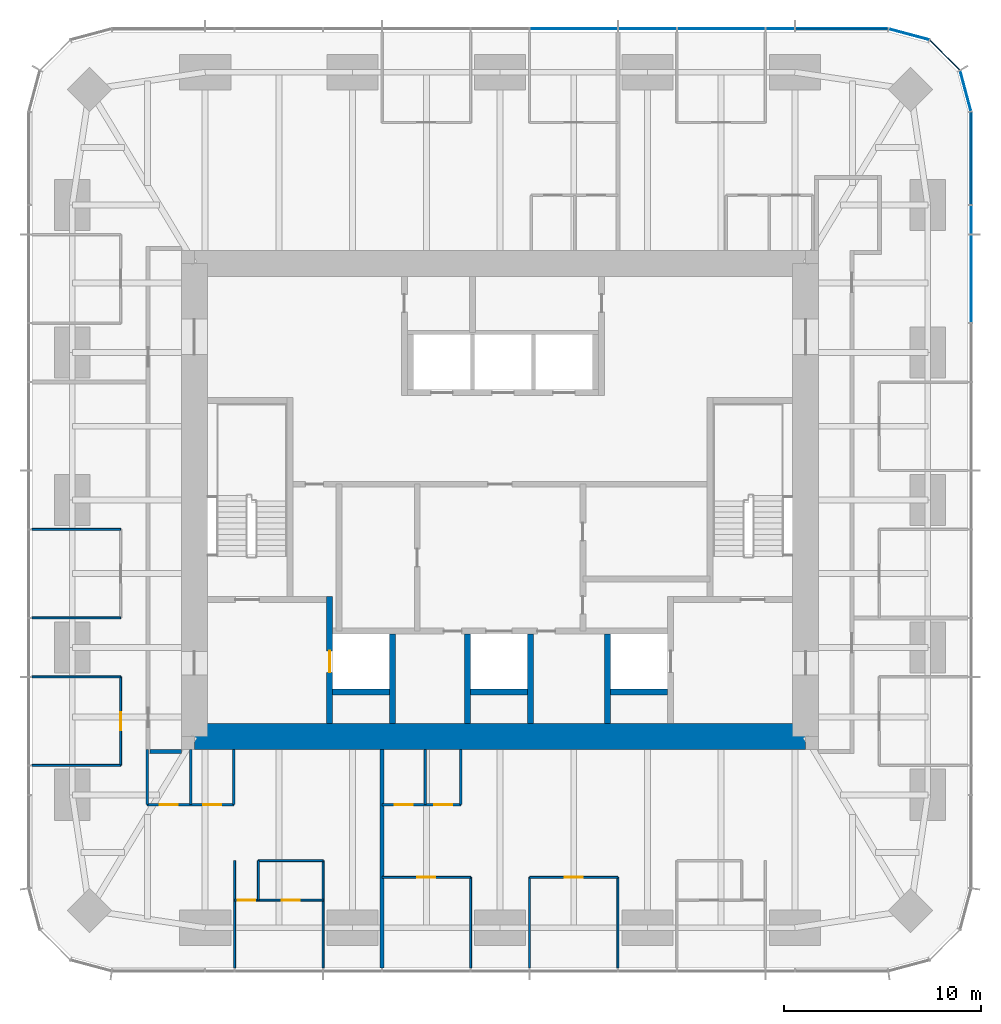
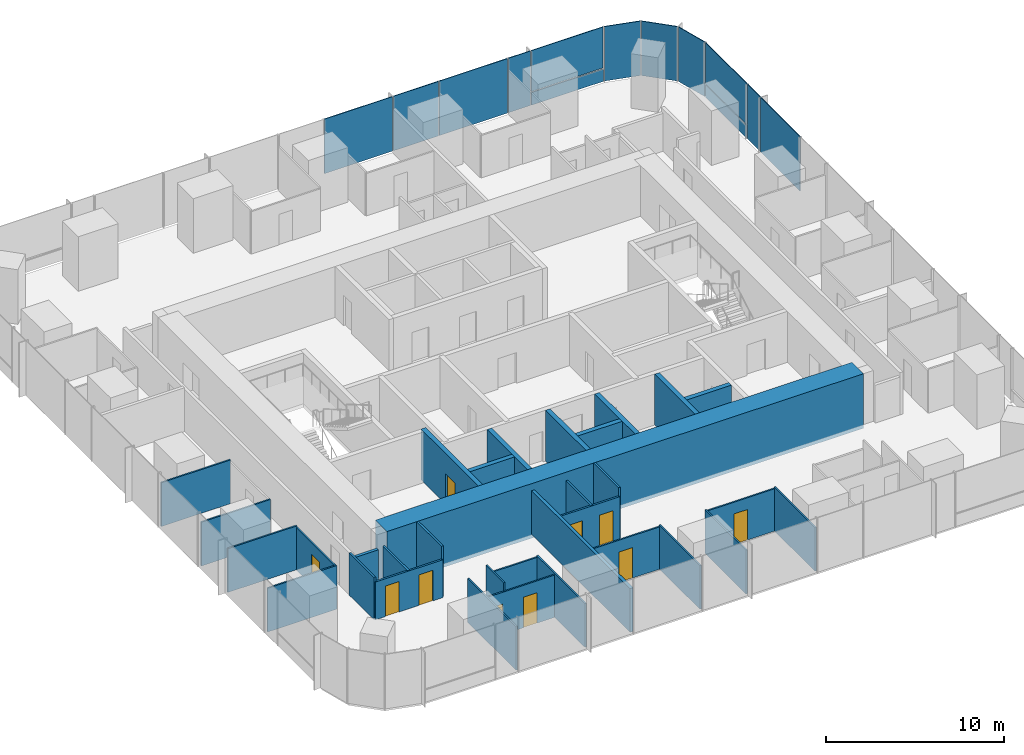
# One storey, part 8 of 12: 33 walls, 13 plates, 10 doors, 10 openings, 3 elements without a shape of their own.
"""IFC4 building model written with IfcOpenShell, lengths in metres."""

from ifc_helpers import new_model, si_unit, direction, frame, frame_2d, origin, origin_2d, place, context, subcontext, project, spatial, rectangle, extrude, material, layer, layer_set, type_object, element, fill, aggregate, save


model = new_model("IFC4")

# Units and contexts
model_context = context("Model", 3, precision=1e-05, world=origin(), true_north=direction((0.0, 1.0)))
body_context = subcontext(model_context, "Body", "Model", "MODEL_VIEW")
ifc_project = project(units=[si_unit("LENGTHUNIT", "METRE"), si_unit("AREAUNIT", "SQUARE_METRE"), si_unit("VOLUMEUNIT", "CUBIC_METRE"), si_unit("PLANEANGLEUNIT", "RADIAN"), si_unit("MASSUNIT", "GRAM", prefix="KILO")], contexts=[model_context])

# Site, building, storey
site_placement = place(None, origin())
site = spatial("IfcSite", under=ifc_project, at=site_placement, CompositionType="ELEMENT")
building_placement = place(site_placement, origin())
building = spatial("IfcBuilding", under=site, at=building_placement, Name="Khuree Lantern Residences", CompositionType="ELEMENT")
storey_placement = place(building_placement, frame((0.0, 0.0, 289.5)))
storey = spatial("IfcBuildingStorey", under=building, at=storey_placement, Name="L72", CompositionType="ELEMENT", Elevation=289.5)

# Curtain wall, plates
ifc_material_1 = material(Name="Bronze anodised aluminium", Category="aluminium")
curtain_wall_type_1 = type_object("IfcCurtainWallType", Name="CW-T2 TOWER CORNER CURTAIN WALL", PredefinedType="USERDEFINED", material=ifc_material_1)
curtain_wall_1_placement = place(storey_placement, origin())
curtain_wall_1 = element("IfcCurtainWall", 1, at=curtain_wall_1_placement, inside=storey, type_object=curtain_wall_type_1, Name="L72 NORTH-EAST CORNER CURTAIN WALL", ObjectType="Faceted corner curtain wall", PredefinedType="USERDEFINED")
ifc_material_2 = material(Name="Bronze tinted triple glazing", Category="glass")
ifc_layer_1 = layer(ifc_material_2, 0.048095703125)
ifc_layer_set_1 = layer_set([ifc_layer_1], Name="FACET PANEL P4")
plate_type_1 = type_object("IfcPlateType", Name="FACET PANEL P4", PredefinedType="CURTAIN_PANEL", material=ifc_layer_set_1)
plate_1_placement = place(storey_placement, frame((23.619140625, 20.748046875, 0.0), z_axis=(0.0, 0.0, 1.0), x_axis=(-0.2588189146, 0.965925861257, 0.0)))
plate_1 = element("IfcPlate", 2, at=plate_1_placement, type_object=plate_type_1, Name="L72 NORTH-EAST CORNER PANEL 15.1", PredefinedType="CURTAIN_PANEL", context=body_context, shape_type="SweptSolid", body=[
    extrude(rectangle(XDim=2.09814453125, YDim=0.048095703125, at=origin_2d()), origin(), (0.0, 0.0, 1.0), 3.75),
])
plate_2_placement = place(storey_placement, frame((22.568603515625, 22.568603515625, 0.0), z_axis=(0.0, 0.0, 1.0), x_axis=(-0.707106781187, 0.707106781187, 0.0)))
plate_2 = element("IfcPlate", 3, at=plate_2_placement, type_object=plate_type_1, Name="L72 NORTH-EAST CORNER PANEL 16.1", PredefinedType="CURTAIN_PANEL", context=body_context, shape_type="SweptSolid", body=[
    extrude(rectangle(XDim=2.093994140625, YDim=0.048095703125, at=origin_2d()), origin(), (0.0, 0.0, 1.0), 3.75),
])
plate_3_placement = place(storey_placement, frame((20.748046875, 23.619140625, 0.0), z_axis=(0.0, 0.0, 1.0), x_axis=(-0.965925861257, 0.2588189146, 0.0)))
plate_3 = element("IfcPlate", 4, at=plate_3_placement, type_object=plate_type_1, Name="L72 NORTH-EAST CORNER PANEL 17.1", PredefinedType="CURTAIN_PANEL", context=body_context, shape_type="SweptSolid", body=[
    extrude(rectangle(XDim=2.09814453125, YDim=0.048095703125, at=origin_2d()), origin(), (0.0, 0.0, 1.0), 3.75),
])
aggregate(curtain_wall_1, [plate_1, plate_2, plate_3])

# Curtain wall, plate
curtain_wall_type_2 = type_object("IfcCurtainWallType", Name="CW-T1 TOWER FACE CURTAIN WALL", PredefinedType="USERDEFINED", material=ifc_material_1)
curtain_wall_2_placement = place(storey_placement, origin())
curtain_wall_2 = element("IfcCurtainWall", 5, at=curtain_wall_2_placement, inside=storey, type_object=curtain_wall_type_2, Name="L72 EAST FACE CURTAIN WALL", ObjectType="Stick-built curtain wall", PredefinedType="USERDEFINED")
ifc_material_3 = material(Name="Bronze tinted triple glazing with a ceramic-fritted spandrel band", Category="glass")
ifc_layer_2 = layer(ifc_material_3, 0.048095703125)
ifc_layer_set_2 = layer_set([ifc_layer_2], Name="FIXED LIGHT PANEL P11")
plate_type_2 = type_object("IfcPlateType", Name="FIXED LIGHT PANEL P11", PredefinedType="CURTAIN_PANEL", material=ifc_layer_set_2)
plate_4_placement = place(storey_placement, frame((23.89990234375, 11.219970703125, 0.0), z_axis=(0.0, 0.0, 1.0), x_axis=(0.0, 1.0, 0.0)))
plate_4 = element("IfcPlate", 6, at=plate_4_placement, type_object=plate_type_2, Name="L72 EAST FACE PANEL 12.1", PredefinedType="CURTAIN_PANEL", context=body_context, shape_type="SweptSolid", body=[
    extrude(rectangle(XDim=4.423095703125, YDim=0.048095703125, at=origin_2d()), origin(), (0.0, 0.0, 1.0), 3.75),
])

# Curtain wall, plates
curtain_wall_3_placement = place(storey_placement, origin())
curtain_wall_3 = element("IfcCurtainWall", 7, at=curtain_wall_3_placement, inside=storey, type_object=curtain_wall_type_2, Name="L72 NORTH FACE CURTAIN WALL", ObjectType="Stick-built curtain wall", PredefinedType="USERDEFINED")
plate_5_placement = place(storey_placement, frame((11.219970703125, 23.89990234375, 0.0), z_axis=(0.0, 0.0, 1.0), x_axis=(-1.0, 0.0, 0.0)))
plate_5 = element("IfcPlate", 8, at=plate_5_placement, type_object=plate_type_2, Name="L72 NORTH FACE PANEL 20.1", PredefinedType="CURTAIN_PANEL", context=body_context, shape_type="SweptSolid", body=[
    extrude(rectangle(XDim=4.423095703125, YDim=0.048095703125, at=origin_2d()), origin(), (0.0, 0.0, 1.0), 3.75),
])
plate_6_placement = place(storey_placement, frame((3.739990234375, 23.89990234375, 0.0), z_axis=(0.0, 0.0, 1.0), x_axis=(-1.0, 0.0, 0.0)))
plate_6 = element("IfcPlate", 9, at=plate_6_placement, type_object=plate_type_2, Name="L72 NORTH FACE PANEL 22.1", PredefinedType="CURTAIN_PANEL", context=body_context, shape_type="SweptSolid", body=[
    extrude(rectangle(XDim=4.423095703125, YDim=0.048095703125, at=origin_2d()), origin(), (0.0, 0.0, 1.0), 3.75),
])
ifc_material_4 = material(Name="Bronze tinted triple glazing, two aluminium-framed sashes in one frame", Category="aluminium")
ifc_layer_3 = layer(ifc_material_4, 0.048095703125)
ifc_layer_set_3 = layer_set([ifc_layer_3], Name="SASH PAIR PANEL P12")
plate_type_3 = type_object("IfcPlateType", Name="SASH PAIR PANEL P12", PredefinedType="CURTAIN_PANEL", material=ifc_layer_set_3)
plate_7_placement = place(storey_placement, frame((7.47998046875, 23.89990234375, 0.0), z_axis=(0.0, 0.0, 1.0), x_axis=(-1.0, 0.0, 0.0)))
plate_7 = element("IfcPlate", 10, at=plate_7_placement, type_object=plate_type_3, Name="L72 NORTH FACE PANEL 21.1", PredefinedType="CURTAIN_PANEL", context=body_context, shape_type="SweptSolid", body=[
    extrude(rectangle(XDim=2.927001953125, YDim=0.048095703125, at=origin_2d()), origin(), (0.0, 0.0, 1.0), 3.75),
])

# Plate
ifc_material_5 = material(Name="Bronze tinted triple glazing, aluminium-framed sash", Category="aluminium")
ifc_layer_4 = layer(ifc_material_5, 0.048095703125)
ifc_layer_set_4 = layer_set([ifc_layer_4], Name="SASH PANEL P3")
plate_type_4 = type_object("IfcPlateType", Name="SASH PANEL P3", PredefinedType="CURTAIN_PANEL", material=ifc_layer_set_4)
plate_8_placement = place(storey_placement, frame((23.89990234375, 14.2119140625, 0.0), z_axis=(0.0, 0.0, 1.0), x_axis=(0.0, 1.0, 0.0)))
plate_8 = element("IfcPlate", 11, at=plate_8_placement, type_object=plate_type_4, Name="L72 EAST FACE PANEL 13.1", PredefinedType="CURTAIN_PANEL", context=body_context, shape_type="SweptSolid", body=[
    extrude(rectangle(XDim=1.430908203125, YDim=0.048095703125, at=origin_2d()), origin(), (0.0, 0.0, 1.0), 3.75),
])

plate_9_placement = place(storey_placement, frame((14.2119140625, 23.89990234375, 0.0), z_axis=(0.0, 0.0, 1.0), x_axis=(-1.0, 0.0, 0.0)))
plate_9 = element("IfcPlate", 12, at=plate_9_placement, type_object=plate_type_4, Name="L72 NORTH FACE PANEL 19.1", PredefinedType="CURTAIN_PANEL", context=body_context, shape_type="SweptSolid", body=[
    extrude(rectangle(XDim=1.430908203125, YDim=0.048095703125, at=origin_2d()), origin(), (0.0, 0.0, 1.0), 3.75),
])

ifc_material_6 = material(Name="Bronze anodised aluminium insulated spandrel", Category="aluminium")
ifc_layer_5 = layer(ifc_material_6, 0.06005859375)
ifc_layer_set_5 = layer_set([ifc_layer_5], Name="SPANDREL PANEL P2")
plate_type_5 = type_object("IfcPlateType", Name="SPANDREL PANEL P2", PredefinedType="CURTAIN_PANEL", material=ifc_layer_set_5)
plate_10_placement = place(storey_placement, frame((23.89990234375, 17.327880859375, 0.0), z_axis=(0.0, 0.0, 1.0), x_axis=(0.0, 1.0, 0.0)))
plate_10 = element("IfcPlate", 13, at=plate_10_placement, type_object=plate_type_5, Name="L72 EAST FACE PANEL 14.1", PredefinedType="CURTAIN_PANEL", context=body_context, shape_type="SweptSolid", body=[
    extrude(rectangle(XDim=4.670654296875, YDim=0.06005859375, at=origin_2d()), origin(), (0.0, 0.0, 1.0), 0.867431640625),
])

plate_11_placement = place(storey_placement, frame((17.327880859375, 23.89990234375, 0.0), z_axis=(0.0, 0.0, 1.0), x_axis=(-1.0, 0.0, 0.0)))
plate_11 = element("IfcPlate", 14, at=plate_11_placement, type_object=plate_type_5, Name="L72 NORTH FACE PANEL 18.1", PredefinedType="CURTAIN_PANEL", context=body_context, shape_type="SweptSolid", body=[
    extrude(rectangle(XDim=4.670654296875, YDim=0.06005859375, at=origin_2d()), origin(), (0.0, 0.0, 1.0), 0.867431640625),
])

ifc_layer_6 = layer(ifc_material_2, 0.048095703125)
ifc_layer_set_6 = layer_set([ifc_layer_6], Name="VISION PANEL P1")
plate_type_6 = type_object("IfcPlateType", Name="VISION PANEL P1", PredefinedType="CURTAIN_PANEL", material=ifc_layer_set_6)
plate_12_placement = place(storey_placement, frame((23.89990234375, 17.328369140625, 0.9326171875), z_axis=(0.0, 0.0, 1.0), x_axis=(0.0, 1.0, 0.0)))
plate_12 = element("IfcPlate", 15, at=plate_12_placement, type_object=plate_type_6, Name="L72 EAST FACE PANEL 14.2", PredefinedType="CURTAIN_PANEL", context=body_context, shape_type="SweptSolid", body=[
    extrude(rectangle(XDim=4.671630859375, YDim=0.048095703125, at=origin_2d()), origin(), (0.0, 0.0, 1.0), 2.8173828125),
])

aggregate(curtain_wall_2, [plate_4, plate_8, plate_10, plate_12])

plate_13_placement = place(storey_placement, frame((17.328369140625, 23.89990234375, 0.9326171875), z_axis=(0.0, 0.0, 1.0), x_axis=(-1.0, 0.0, 0.0)))
plate_13 = element("IfcPlate", 16, at=plate_13_placement, type_object=plate_type_6, Name="L72 NORTH FACE PANEL 18.2", PredefinedType="CURTAIN_PANEL", context=body_context, shape_type="SweptSolid", body=[
    extrude(rectangle(XDim=4.671630859375, YDim=0.048095703125, at=origin_2d()), origin(), (0.0, 0.0, 1.0), 2.8173828125),
])

aggregate(curtain_wall_3, [plate_11, plate_13, plate_9, plate_5, plate_7, plate_6])

# Wall, openings, doors
ifc_material_7 = material(Name="Moisture-resistant gypsum board on steel studs", Category="steel")
ifc_layer_7 = layer(ifc_material_7, 0.125)
ifc_layer_set_7 = layer_set([ifc_layer_7], Name="BATHROOM WALL BTW125")
wall_type_1 = type_object("IfcWallType", Name="BATHROOM WALL BTW125", PredefinedType="PARTITIONING", material=ifc_layer_set_7)
wall_1_placement = place(storey_placement, frame((-17.89990234375, -15.449951171875, 0.0), z_axis=(0.0, 0.0, 1.0), x_axis=(1.0, 0.0, 0.0)))
wall_1 = element("IfcWall", 17, at=wall_1_placement, inside=storey, type_object=wall_type_1, Name="L72 BATHROOM WALL 03", PredefinedType="PARTITIONING", context=body_context, shape_type="SweptSolid", body=[
    extrude(rectangle(XDim=4.39990234375, YDim=0.125, at=frame_2d((2.199951171875, 0.0))), origin(), (0.0, 0.0, 1.0), 2.60009765625),
])
opening_1_placement = place(wall_1_placement, frame((0.64990234375, 0.0, 0.0)))
opening_1 = element("IfcOpeningElement", 18, at=opening_1_placement, cuts=wall_1, Name="Opening 72-038", PredefinedType="OPENING", context=body_context, shape_type="SweptSolid", body=[
    extrude(rectangle(XDim=0.89990234375, YDim=2.10009765625, at=frame_2d((0.449951171875, 1.050048828125))), frame((0.0, 0.072509765625, 0.0), z_axis=(0.0, -1.0, 0.0), x_axis=(1.0, 0.0, 0.0)), (0.0, 0.0, 1.0), 0.14501953125),
])
opening_2_placement = place(wall_1_placement, frame((2.85009765625, 0.0, 0.0)))
opening_2 = element("IfcOpeningElement", 19, at=opening_2_placement, cuts=wall_1, Name="Opening 72-039", PredefinedType="OPENING", context=body_context, shape_type="SweptSolid", body=[
    extrude(rectangle(XDim=0.89990234375, YDim=2.10009765625, at=frame_2d((0.449951171875, 1.050048828125))), frame((0.0, 0.072509765625, 0.0), z_axis=(0.0, -1.0, 0.0), x_axis=(1.0, 0.0, 0.0)), (0.0, 0.0, 1.0), 0.14501953125),
])
ifc_material_8 = material(Name="Timber door leaf in hardwood frame", Category="wood")
door_type_1 = type_object("IfcDoorType", Name="BATHROOM DOOR 900X2100", OperationType="SINGLE_SWING_LEFT", PredefinedType="DOOR", material=ifc_material_8)
door_1_placement = place(opening_1_placement, origin())
door_1 = element("IfcDoor", 20, at=door_1_placement, inside=storey, type_object=door_type_1, Name="Bathroom door 72-038", OperationType="SINGLE_SWING_LEFT", OverallHeight=2.10009765625, OverallWidth=0.89990234375, PredefinedType="DOOR", context=body_context, shape_type="SweptSolid", body=[
    extrude(rectangle(XDim=0.89990234375, YDim=2.10009765625, at=frame_2d((0.449951171875, 1.050048828125))), frame((0.0, 0.02490234375, 0.0), z_axis=(0.0, -1.0, 0.0), x_axis=(1.0, 0.0, 0.0)), (0.0, 0.0, 1.0), 0.050048828125),
])
fill(opening_1, door_1)
door_2_placement = place(opening_2_placement, origin())
door_2 = element("IfcDoor", 21, at=door_2_placement, inside=storey, type_object=door_type_1, Name="Bathroom door 72-039", OperationType="SINGLE_SWING_LEFT", OverallHeight=2.10009765625, OverallWidth=0.89990234375, PredefinedType="DOOR", context=body_context, shape_type="SweptSolid", body=[
    extrude(rectangle(XDim=0.89990234375, YDim=2.10009765625, at=frame_2d((0.449951171875, 1.050048828125))), frame((0.0, 0.02490234375, 0.0), z_axis=(0.0, -1.0, 0.0), x_axis=(1.0, 0.0, 0.0)), (0.0, 0.0, 1.0), 0.050048828125),
])
fill(opening_2, door_2)

# Walls
wall_2_placement = place(storey_placement, frame((-17.89990234375, -12.64990234375, 0.0), z_axis=(0.0, 0.0, 1.0), x_axis=(0.0, -1.0, 0.0)))
element("IfcWall", 22, at=wall_2_placement, inside=storey, type_object=wall_type_1, Name="L72 BATHROOM WALL 03", PredefinedType="PARTITIONING", context=body_context, shape_type="SweptSolid", body=[
    extrude(rectangle(XDim=2.800048828125, YDim=0.125, at=frame_2d((1.39990234375, 0.0))), origin(), (0.0, 0.0, 1.0), 2.89990234375),
])
wall_3_placement = place(storey_placement, frame((-15.699951171875, -12.64990234375, 0.0), z_axis=(0.0, 0.0, 1.0), x_axis=(0.0, -1.0, 0.0)))
element("IfcWall", 23, at=wall_3_placement, inside=storey, type_object=wall_type_1, Name="L72 BATHROOM WALL 03", PredefinedType="PARTITIONING", context=body_context, shape_type="SweptSolid", body=[
    extrude(rectangle(XDim=2.800048828125, YDim=0.125, at=frame_2d((1.39990234375, 0.0))), origin(), (0.0, 0.0, 1.0), 2.60009765625),
])
wall_4_placement = place(storey_placement, frame((-13.5, -12.64990234375, 0.0), z_axis=(0.0, 0.0, 1.0), x_axis=(0.0, -1.0, 0.0)))
element("IfcWall", 24, at=wall_4_placement, inside=storey, type_object=wall_type_1, Name="L72 BATHROOM WALL 03", PredefinedType="PARTITIONING", context=body_context, shape_type="SweptSolid", body=[
    extrude(rectangle(XDim=2.800048828125, YDim=0.125, at=frame_2d((1.39990234375, 0.0))), origin(), (0.0, 0.0, 1.0), 3.5),
])

# Wall, openings, doors
wall_5_placement = place(storey_placement, frame((-5.98388671875, -15.449951171875, 0.0), z_axis=(0.0, 0.0, 1.0), x_axis=(1.0, 0.0, 0.0)))
wall_5 = element("IfcWall", 25, at=wall_5_placement, inside=storey, type_object=wall_type_1, Name="L72 BATHROOM WALL 04", PredefinedType="PARTITIONING", context=body_context, shape_type="SweptSolid", body=[
    extrude(rectangle(XDim=4.0, YDim=0.125, at=frame_2d((2.0, 0.0))), origin(), (0.0, 0.0, 1.0), 2.909912109375),
])
opening_3_placement = place(wall_5_placement, frame((0.64990234375, 0.0, 0.0)))
opening_3 = element("IfcOpeningElement", 26, at=opening_3_placement, cuts=wall_5, Name="Opening 72-046", PredefinedType="OPENING", context=body_context, shape_type="SweptSolid", body=[
    extrude(rectangle(XDim=0.89990234375, YDim=2.10009765625, at=frame_2d((0.449951171875, 1.050048828125))), frame((0.0, 0.072509765625, 0.0), z_axis=(0.0, -1.0, 0.0), x_axis=(1.0, 0.0, 0.0)), (0.0, 0.0, 1.0), 0.14501953125),
])
opening_4_placement = place(wall_5_placement, frame((2.64990234375, 0.0, 0.0)))
opening_4 = element("IfcOpeningElement", 27, at=opening_4_placement, cuts=wall_5, Name="Opening 72-047", PredefinedType="OPENING", context=body_context, shape_type="SweptSolid", body=[
    extrude(rectangle(XDim=0.89990234375, YDim=2.10009765625, at=frame_2d((0.449951171875, 1.050048828125))), frame((0.0, 0.072509765625, 0.0), z_axis=(0.0, -1.0, 0.0), x_axis=(1.0, 0.0, 0.0)), (0.0, 0.0, 1.0), 0.14501953125),
])
door_3_placement = place(opening_3_placement, origin())
door_3 = element("IfcDoor", 28, at=door_3_placement, inside=storey, type_object=door_type_1, Name="Bathroom door 72-046", OperationType="SINGLE_SWING_LEFT", OverallHeight=2.10009765625, OverallWidth=0.89990234375, PredefinedType="DOOR", context=body_context, shape_type="SweptSolid", body=[
    extrude(rectangle(XDim=0.89990234375, YDim=2.10009765625, at=frame_2d((0.449951171875, 1.050048828125))), frame((0.0, 0.02490234375, 0.0), z_axis=(0.0, -1.0, 0.0), x_axis=(1.0, 0.0, 0.0)), (0.0, 0.0, 1.0), 0.050048828125),
])
fill(opening_3, door_3)
door_type_2 = type_object("IfcDoorType", Name="DOOR 900X2100", OperationType="SINGLE_SWING_LEFT", PredefinedType="DOOR", material=ifc_material_8)
door_4_placement = place(opening_4_placement, origin())
door_4 = element("IfcDoor", 29, at=door_4_placement, inside=storey, type_object=door_type_2, Name="Store door 72-047", OperationType="SINGLE_SWING_LEFT", OverallHeight=2.10009765625, OverallWidth=0.89990234375, PredefinedType="DOOR", context=body_context, shape_type="SweptSolid", body=[
    extrude(rectangle(XDim=0.89990234375, YDim=2.10009765625, at=frame_2d((0.449951171875, 1.050048828125))), frame((0.0, 0.02490234375, 0.0), z_axis=(0.0, -1.0, 0.0), x_axis=(1.0, 0.0, 0.0)), (0.0, 0.0, 1.0), 0.050048828125),
])
fill(opening_4, door_4)

# Walls
wall_6_placement = place(storey_placement, frame((-3.783935546875, -12.64990234375, 0.0), z_axis=(0.0, 0.0, 1.0), x_axis=(0.0, -1.0, 0.0)))
element("IfcWall", 30, at=wall_6_placement, inside=storey, type_object=wall_type_1, Name="L72 BATHROOM WALL 04", PredefinedType="PARTITIONING", context=body_context, shape_type="SweptSolid", body=[
    extrude(rectangle(XDim=2.800048828125, YDim=0.125, at=frame_2d((1.39990234375, 0.0))), origin(), (0.0, 0.0, 1.0), 2.909912109375),
])
wall_7_placement = place(storey_placement, frame((-1.98388671875, -12.64990234375, 0.0), z_axis=(0.0, 0.0, 1.0), x_axis=(0.0, -1.0, 0.0)))
element("IfcWall", 31, at=wall_7_placement, inside=storey, type_object=wall_type_1, Name="L72 BATHROOM WALL 04", PredefinedType="PARTITIONING", context=body_context, shape_type="SweptSolid", body=[
    extrude(rectangle(XDim=2.800048828125, YDim=0.125, at=frame_2d((1.39990234375, 0.0))), origin(), (0.0, 0.0, 1.0), 3.5),
])

# Wall, opening, door
ifc_material_9 = material(Name="Dense concrete blockwork", Category="masonry")
ifc_layer_8 = layer(ifc_material_9, 0.300048828125)
ifc_layer_set_8 = layer_set([ifc_layer_8], Name="CORE PARTITION WALL CPW300 EI 120")
wall_type_2 = type_object("IfcWallType", Name="CORE PARTITION WALL CPW300 EI 120", PredefinedType="PARTITIONING", material=ifc_layer_set_8)
wall_8_placement = place(storey_placement, frame((-8.64990234375, -11.35009765625, 0.0), z_axis=(0.0, 0.0, 1.0), x_axis=(0.0, 1.0, 0.0)))
wall_8 = element("IfcWall", 32, at=wall_8_placement, inside=storey, type_object=wall_type_2, Name="L72 CORE WALL FL1W", PredefinedType="PARTITIONING", context=body_context, shape_type="SweptSolid", body=[
    extrude(rectangle(XDim=6.4501953125, YDim=0.300048828125, at=frame_2d((3.22509765625, 0.0))), origin(), (0.0, 0.0, 1.0), 3.5),
])
opening_5_placement = place(wall_8_placement, frame((2.60009765625, 0.0, 0.0)))
opening_5 = element("IfcOpeningElement", 33, at=opening_5_placement, cuts=wall_8, Name="Opening 72-007", PredefinedType="OPENING", context=body_context, shape_type="SweptSolid", body=[
    extrude(rectangle(XDim=1.10009765625, YDim=2.10009765625, at=frame_2d((0.550048828125, 1.050048828125))), frame((0.0, 0.16015625, 0.0), z_axis=(0.0, -1.0, 0.0), x_axis=(1.0, 0.0, 0.0)), (0.0, 0.0, 1.0), 0.320068359375),
])
ifc_material_10 = material(Name="Stainless steel lift landing door", Category="steel")
door_type_3 = type_object("IfcDoorType", Name="LIFT LANDING DOOR 1100X2100 E 120", OperationType="DOUBLE_DOOR_SLIDING", PredefinedType="DOOR", material=ifc_material_10)
door_5_placement = place(opening_5_placement, origin())
door_5 = element("IfcDoor", 34, at=door_5_placement, inside=storey, type_object=door_type_3, Name="Landing door FL1 72-007", OperationType="DOUBLE_DOOR_SLIDING", OverallHeight=2.10009765625, OverallWidth=1.10009765625, PredefinedType="DOOR", context=body_context, shape_type="SweptSolid", body=[
    extrude(rectangle(XDim=1.10009765625, YDim=2.10009765625, at=frame_2d((0.550048828125, 1.050048828125))), frame((0.0, 0.02490234375, 0.0), z_axis=(0.0, -1.0, 0.0), x_axis=(1.0, 0.0, 0.0)), (0.0, 0.0, 1.0), 0.050048828125),
])
fill(opening_5, door_5)

# Walls
for number, where, z_axis, x_axis, name in (
    (35, (-5.449951171875, -11.35009765625, 0.0), (0.0, 0.0, 1.0), (0.0, 1.0, 0.0), "L72 CORE WALL FL1E"),
    (36, (-1.64990234375, -11.35009765625, 0.0), (0.0, 0.0, 1.0), (0.0, 1.0, 0.0), "L72 CORE WALL SL1W"),
    (37, (1.550048828125, -11.35009765625, 0.0), (0.0, 0.0, 1.0), (0.0, 1.0, 0.0), "L72 CORE WALL SL1E"),
    (38, (5.449951171875, -11.35009765625, 0.0), (0.0, 0.0, 1.0), (0.0, 1.0, 0.0), "L72 CORE WALL FL2W"),
):
    element("IfcWall", number, at=place(storey_placement, frame(where, z_axis=z_axis, x_axis=x_axis)), inside=storey, type_object=wall_type_2, Name=name, PredefinedType="PARTITIONING", context=body_context, shape_type="SweptSolid", body=[
        extrude(rectangle(XDim=4.550048828125, YDim=0.300048828125, at=frame_2d((2.27490234375, 0.0))), origin(), (0.0, 0.0, 1.0), 3.5),
    ])
for number, where, z_axis, x_axis, name in (
    (39, (-8.5, -9.75, 0.0), (0.0, 0.0, 1.0), (1.0, 0.0, 0.0), "L72 CORE WALL FL1S"),
    (40, (-1.5, -9.75, 0.0), (0.0, 0.0, 1.0), (1.0, 0.0, 0.0), "L72 CORE WALL SL1S"),
    (41, (5.60009765625, -9.75, 0.0), (0.0, 0.0, 1.0), (1.0, 0.0, 0.0), "L72 CORE WALL FL2S"),
):
    element("IfcWall", number, at=place(storey_placement, frame(where, z_axis=z_axis, x_axis=x_axis)), inside=storey, type_object=wall_type_2, Name=name, PredefinedType="PARTITIONING", context=body_context, shape_type="SweptSolid", body=[
        extrude(rectangle(XDim=2.89990234375, YDim=0.300048828125, at=frame_2d((1.449951171875, 0.0))), origin(), (0.0, 0.0, 1.0), 3.5),
    ])
ifc_material_11 = material(Name="Gypsum board on steel studs", Category="steel")
ifc_layer_9 = layer(ifc_material_11, 0.199951171875)
ifc_layer_set_9 = layer_set([ifc_layer_9], Name="CORRIDOR WALL CRW200 EI 60")
wall_type_3 = type_object("IfcWallType", Name="CORRIDOR WALL CRW200 EI 60", PredefinedType="PARTITIONING", material=ifc_layer_set_9)
wall_9_placement = place(storey_placement, frame((-16.14990234375, -12.75, 0.0), z_axis=(0.0, 0.0, 1.0), x_axis=(-1.0, 0.0, 0.0)))
element("IfcWall", 42, at=wall_9_placement, inside=storey, type_object=wall_type_3, Name="L72 WEST CORRIDOR SOUTH END WALL", PredefinedType="PARTITIONING", context=body_context, shape_type="SweptSolid", body=[
    extrude(rectangle(XDim=1.60009765625, YDim=0.199951171875, at=frame_2d((0.800048828125, 0.0))), origin(), (0.0, 0.0, 1.0), 2.60009765625),
])
ifc_material_12 = material(Name="Concrete C50/60", Category="concrete")
ifc_layer_10 = layer(ifc_material_12, 1.300048828125)
ifc_layer_set_10 = layer_set([ifc_layer_10], Name="CW1300-C50 CORE WALL C50 1300")
wall_type_4 = type_object("IfcWallType", Name="CW1300-C50 CORE WALL C50 1300", PredefinedType="SHEAR", material=ifc_layer_set_10)
wall_10_placement = place(storey_placement, frame((-15.5, -12.0, -0.25), z_axis=(0.0, 0.0, 1.0), x_axis=(1.0, 0.0, 0.0)))
element("IfcWall", 43, at=wall_10_placement, inside=storey, type_object=wall_type_4, Name="Core wall S", PredefinedType="SHEAR", context=body_context, shape_type="SweptSolid", body=[
    extrude(rectangle(XDim=31.0, YDim=1.300048828125, at=frame_2d((15.5, 0.0))), origin(), (0.0, 0.0, 1.0), 3.75),
])
ifc_layer_11 = layer(ifc_material_11, 0.199951171875)
ifc_layer_set_11 = layer_set([ifc_layer_11], Name="DEMISING WALL DMW200 EI 90")
wall_type_5 = type_object("IfcWallType", Name="DEMISING WALL DMW200 EI 90", PredefinedType="PARTITIONING", material=ifc_layer_set_11)
wall_11_placement = place(storey_placement, frame((-5.98388671875, -12.64990234375, 0.0), z_axis=(0.0, 0.0, 1.0), x_axis=(0.0, -1.0, 0.0)))
element("IfcWall", 44, at=wall_11_placement, inside=storey, type_object=wall_type_5, Name="L72 DEMISING WALL 04", PredefinedType="PARTITIONING", context=body_context, shape_type="SweptSolid", body=[
    extrude(rectangle(XDim=11.10009765625, YDim=0.199951171875, at=frame_2d((5.550048828125, 0.0))), origin(), (0.0, 0.0, 1.0), 3.010009765625),
])
ifc_layer_12 = layer(ifc_material_11, 0.10009765625)
ifc_layer_set_12 = layer_set([ifc_layer_12], Name="PARTITION PT100")
wall_type_6 = type_object("IfcWallType", Name="PARTITION PT100", PredefinedType="PARTITIONING", material=ifc_layer_set_12)
for number, where, z_axis, x_axis, name in (
    (45, (-19.25, -1.49609375, 0.0), (0.0, 0.0, 1.0), (-1.0, 0.0, 0.0), "L72 PARTITION 03"),
    (46, (-19.25, -5.98388671875, 0.0), (0.0, 0.0, 1.0), (-1.0, 0.0, 0.0), "L72 PARTITION 03"),
    (47, (-19.25, -8.97607421875, 0.0), (0.0, 0.0, 1.0), (-1.0, 0.0, 0.0), "L72 PARTITION 03"),
    (48, (-19.25, -13.464111328125, 0.0), (0.0, 0.0, 1.0), (-1.0, 0.0, 0.0), "L72 PARTITION 03"),
):
    element("IfcWall", number, at=place(storey_placement, frame(where, z_axis=z_axis, x_axis=x_axis)), inside=storey, type_object=wall_type_6, Name=name, PredefinedType="PARTITIONING", context=body_context, shape_type="SweptSolid", body=[
        extrude(rectangle(XDim=4.5, YDim=0.10009765625, at=frame_2d((2.25, 0.0))), origin(), (0.0, 0.0, 1.0), 3.010009765625),
    ])
for number, where, z_axis, x_axis, name in (
    (49, (-13.464111328125, -18.29638671875, 0.0), (0.0, 0.0, 1.0), (0.0, -1.0, 0.0), "L72 PARTITION 03"),
    (50, (-8.97607421875, -18.29638671875, 0.0), (0.0, 0.0, 1.0), (0.0, -1.0, 0.0), "L72 PARTITION 03"),
):
    element("IfcWall", number, at=place(storey_placement, frame(where, z_axis=z_axis, x_axis=x_axis)), inside=storey, type_object=wall_type_6, Name=name, PredefinedType="PARTITIONING", context=body_context, shape_type="SweptSolid", body=[
        extrude(rectangle(XDim=5.45361328125, YDim=0.10009765625, at=frame_2d((2.726806640625, 0.0))), origin(), (0.0, 0.0, 1.0), 3.010009765625),
    ])
for number, where, z_axis, x_axis, name in (
    (51, (-1.49609375, -19.14990234375, 0.0), (0.0, 0.0, 1.0), (0.0, -1.0, 0.0), "L72 PARTITION 04"),
    (52, (1.49609375, -19.14990234375, 0.0), (0.0, 0.0, 1.0), (0.0, -1.0, 0.0), "L72 PARTITION 04"),
    (53, (5.98388671875, -19.14990234375, 0.0), (0.0, 0.0, 1.0), (0.0, -1.0, 0.0), "L72 PARTITION 04"),
):
    element("IfcWall", number, at=place(storey_placement, frame(where, z_axis=z_axis, x_axis=x_axis)), inside=storey, type_object=wall_type_6, Name=name, PredefinedType="PARTITIONING", context=body_context, shape_type="SweptSolid", body=[
        extrude(rectangle(XDim=4.60009765625, YDim=0.10009765625, at=frame_2d((2.300048828125, 0.0))), origin(), (0.0, 0.0, 1.0), 3.010009765625),
    ])

# Wall, opening, door
wall_12_placement = place(storey_placement, frame((-19.25, -8.97607421875, 0.0), z_axis=(0.0, 0.0, 1.0), x_axis=(0.0, -1.0, 0.0)))
wall_12 = element("IfcWall", 54, at=wall_12_placement, inside=storey, type_object=wall_type_6, Name="L72 PARTITION 03", PredefinedType="PARTITIONING", context=body_context, shape_type="SweptSolid", body=[
    extrude(rectangle(XDim=4.488037109375, YDim=0.10009765625, at=frame_2d((2.244140625, 0.0))), origin(), (0.0, 0.0, 1.0), 2.909912109375),
])
opening_6_placement = place(wall_12_placement, frame((1.7939453125, 0.0, 0.0)))
opening_6 = element("IfcOpeningElement", 55, at=opening_6_placement, cuts=wall_12, Name="Opening 72-035", PredefinedType="OPENING", context=body_context, shape_type="SweptSolid", body=[
    extrude(rectangle(XDim=0.89990234375, YDim=2.10009765625, at=frame_2d((0.449951171875, 1.050048828125))), frame((0.0, 0.06005859375, 0.0), z_axis=(0.0, -1.0, 0.0), x_axis=(1.0, 0.0, 0.0)), (0.0, 0.0, 1.0), 0.1201171875),
])
door_type_4 = type_object("IfcDoorType", Name="BEDROOM DOOR 900X2100", OperationType="SINGLE_SWING_LEFT", PredefinedType="DOOR", material=ifc_material_8)
door_6_placement = place(opening_6_placement, origin())
door_6 = element("IfcDoor", 56, at=door_6_placement, inside=storey, type_object=door_type_4, Name="Bedroom door 72-035", OperationType="SINGLE_SWING_LEFT", OverallHeight=2.10009765625, OverallWidth=0.89990234375, PredefinedType="DOOR", context=body_context, shape_type="SweptSolid", body=[
    extrude(rectangle(XDim=0.89990234375, YDim=2.10009765625, at=frame_2d((0.449951171875, 1.050048828125))), frame((0.0, 0.02490234375, 0.0), z_axis=(0.0, -1.0, 0.0), x_axis=(1.0, 0.0, 0.0)), (0.0, 0.0, 1.0), 0.050048828125),
])
fill(opening_6, door_6)

# Wall, openings, doors
wall_13_placement = place(storey_placement, frame((-13.464111328125, -20.29638671875, 0.0), z_axis=(0.0, 0.0, 1.0), x_axis=(1.0, 0.0, 0.0)))
wall_13 = element("IfcWall", 57, at=wall_13_placement, inside=storey, type_object=wall_type_6, Name="L72 PARTITION 03", PredefinedType="PARTITIONING", context=body_context, shape_type="SweptSolid", body=[
    extrude(rectangle(XDim=4.488037109375, YDim=0.10009765625, at=frame_2d((2.244140625, 0.0))), origin(), (0.0, 0.0, 1.0), 2.909912109375),
])
opening_7_placement = place(wall_13_placement, frame((0.14990234375, 0.0, 0.0)))
opening_7 = element("IfcOpeningElement", 58, at=opening_7_placement, cuts=wall_13, Name="Opening 72-036", PredefinedType="OPENING", context=body_context, shape_type="SweptSolid", body=[
    extrude(rectangle(XDim=0.89990234375, YDim=2.10009765625, at=frame_2d((0.449951171875, 1.050048828125))), frame((0.0, 0.06005859375, 0.0), z_axis=(0.0, -1.0, 0.0), x_axis=(1.0, 0.0, 0.0)), (0.0, 0.0, 1.0), 0.1201171875),
])
opening_8_placement = place(wall_13_placement, frame((2.39404296875, 0.0, 0.0)))
opening_8 = element("IfcOpeningElement", 59, at=opening_8_placement, cuts=wall_13, Name="Opening 72-037", PredefinedType="OPENING", context=body_context, shape_type="SweptSolid", body=[
    extrude(rectangle(XDim=0.89990234375, YDim=2.10009765625, at=frame_2d((0.449951171875, 1.050048828125))), frame((0.0, 0.06005859375, 0.0), z_axis=(0.0, -1.0, 0.0), x_axis=(1.0, 0.0, 0.0)), (0.0, 0.0, 1.0), 0.1201171875),
])
door_7_placement = place(opening_7_placement, origin())
door_7 = element("IfcDoor", 60, at=door_7_placement, inside=storey, type_object=door_type_4, Name="Bedroom door 72-036", OperationType="SINGLE_SWING_LEFT", OverallHeight=2.10009765625, OverallWidth=0.89990234375, PredefinedType="DOOR", context=body_context, shape_type="SweptSolid", body=[
    extrude(rectangle(XDim=0.89990234375, YDim=2.10009765625, at=frame_2d((0.449951171875, 1.050048828125))), frame((0.0, 0.02490234375, 0.0), z_axis=(0.0, -1.0, 0.0), x_axis=(1.0, 0.0, 0.0)), (0.0, 0.0, 1.0), 0.050048828125),
])
fill(opening_7, door_7)
door_8_placement = place(opening_8_placement, origin())
door_8 = element("IfcDoor", 61, at=door_8_placement, inside=storey, type_object=door_type_2, Name="Wardrobe door 72-037", OperationType="SINGLE_SWING_LEFT", OverallHeight=2.10009765625, OverallWidth=0.89990234375, PredefinedType="DOOR", context=body_context, shape_type="SweptSolid", body=[
    extrude(rectangle(XDim=0.89990234375, YDim=2.10009765625, at=frame_2d((0.449951171875, 1.050048828125))), frame((0.0, 0.02490234375, 0.0), z_axis=(0.0, -1.0, 0.0), x_axis=(1.0, 0.0, 0.0)), (0.0, 0.0, 1.0), 0.050048828125),
])
fill(opening_8, door_8)

# Walls
wall_14_placement = place(storey_placement, frame((-12.263916015625, -18.29638671875, 0.0), z_axis=(0.0, 0.0, 1.0), x_axis=(0.0, -1.0, 0.0)))
element("IfcWall", 62, at=wall_14_placement, inside=storey, type_object=wall_type_6, Name="L72 PARTITION 03", PredefinedType="PARTITIONING", context=body_context, shape_type="SweptSolid", body=[
    extrude(rectangle(XDim=2.0, YDim=0.10009765625, at=frame_2d((1.0, 0.0))), origin(), (0.0, 0.0, 1.0), 3.5),
])
wall_15_placement = place(storey_placement, frame((-12.263916015625, -18.29638671875, 0.0), z_axis=(0.0, 0.0, 1.0), x_axis=(1.0, 0.0, 0.0)))
element("IfcWall", 63, at=wall_15_placement, inside=storey, type_object=wall_type_6, Name="L72 PARTITION 03", PredefinedType="PARTITIONING", context=body_context, shape_type="SweptSolid", body=[
    extrude(rectangle(XDim=3.287841796875, YDim=0.10009765625, at=frame_2d((1.64404296875, 0.0))), origin(), (0.0, 0.0, 1.0), 2.909912109375),
])

# Wall, opening, door
wall_16_placement = place(storey_placement, frame((-5.98388671875, -19.14990234375, 0.0), z_axis=(0.0, 0.0, 1.0), x_axis=(1.0, 0.0, 0.0)))
wall_16 = element("IfcWall", 64, at=wall_16_placement, inside=storey, type_object=wall_type_6, Name="L72 PARTITION 04", PredefinedType="PARTITIONING", context=body_context, shape_type="SweptSolid", body=[
    extrude(rectangle(XDim=4.48779296875, YDim=0.10009765625, at=frame_2d((2.243896484375, 0.0))), origin(), (0.0, 0.0, 1.0), 2.909912109375),
])
opening_9_placement = place(wall_16_placement, frame((1.7939453125, 0.0, 0.0)))
opening_9 = element("IfcOpeningElement", 65, at=opening_9_placement, cuts=wall_16, Name="Opening 72-041", PredefinedType="OPENING", context=body_context, shape_type="SweptSolid", body=[
    extrude(rectangle(XDim=0.89990234375, YDim=2.10009765625, at=frame_2d((0.449951171875, 1.050048828125))), frame((0.0, 0.06005859375, 0.0), z_axis=(0.0, -1.0, 0.0), x_axis=(1.0, 0.0, 0.0)), (0.0, 0.0, 1.0), 0.1201171875),
])
door_9_placement = place(opening_9_placement, origin())
door_9 = element("IfcDoor", 66, at=door_9_placement, inside=storey, type_object=door_type_4, Name="Bedroom door 72-041", OperationType="SINGLE_SWING_LEFT", OverallHeight=2.10009765625, OverallWidth=0.89990234375, PredefinedType="DOOR", context=body_context, shape_type="SweptSolid", body=[
    extrude(rectangle(XDim=0.89990234375, YDim=2.10009765625, at=frame_2d((0.449951171875, 1.050048828125))), frame((0.0, 0.02490234375, 0.0), z_axis=(0.0, -1.0, 0.0), x_axis=(1.0, 0.0, 0.0)), (0.0, 0.0, 1.0), 0.050048828125),
])
fill(opening_9, door_9)

wall_17_placement = place(storey_placement, frame((1.49609375, -19.14990234375, 0.0), z_axis=(0.0, 0.0, 1.0), x_axis=(1.0, 0.0, 0.0)))
wall_17 = element("IfcWall", 67, at=wall_17_placement, inside=storey, type_object=wall_type_6, Name="L72 PARTITION 04", PredefinedType="PARTITIONING", context=body_context, shape_type="SweptSolid", body=[
    extrude(rectangle(XDim=4.48779296875, YDim=0.10009765625, at=frame_2d((2.243896484375, 0.0))), origin(), (0.0, 0.0, 1.0), 2.909912109375),
])
opening_10_placement = place(wall_17_placement, frame((1.7939453125, 0.0, 0.0)))
opening_10 = element("IfcOpeningElement", 68, at=opening_10_placement, cuts=wall_17, Name="Opening 72-042", PredefinedType="OPENING", context=body_context, shape_type="SweptSolid", body=[
    extrude(rectangle(XDim=0.89990234375, YDim=2.10009765625, at=frame_2d((0.449951171875, 1.050048828125))), frame((0.0, 0.06005859375, 0.0), z_axis=(0.0, -1.0, 0.0), x_axis=(1.0, 0.0, 0.0)), (0.0, 0.0, 1.0), 0.1201171875),
])
door_10_placement = place(opening_10_placement, origin())
door_10 = element("IfcDoor", 69, at=door_10_placement, inside=storey, type_object=door_type_4, Name="Bedroom door 72-042", OperationType="SINGLE_SWING_LEFT", OverallHeight=2.10009765625, OverallWidth=0.89990234375, PredefinedType="DOOR", context=body_context, shape_type="SweptSolid", body=[
    extrude(rectangle(XDim=0.89990234375, YDim=2.10009765625, at=frame_2d((0.449951171875, 1.050048828125))), frame((0.0, 0.02490234375, 0.0), z_axis=(0.0, -1.0, 0.0), x_axis=(1.0, 0.0, 0.0)), (0.0, 0.0, 1.0), 0.050048828125),
])
fill(opening_10, door_10)

save(model, "model.ifc")
